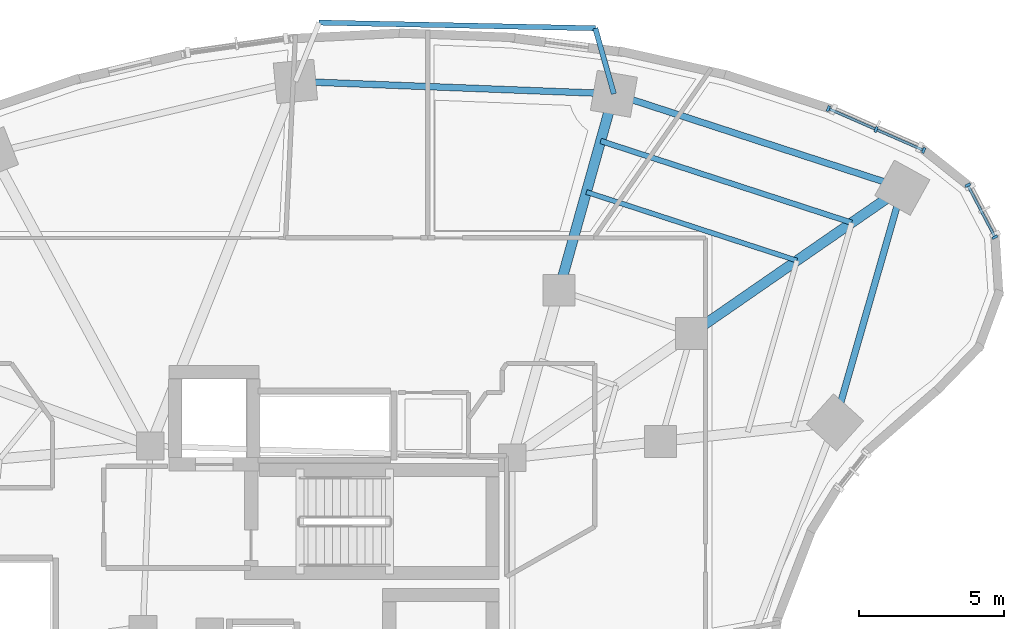
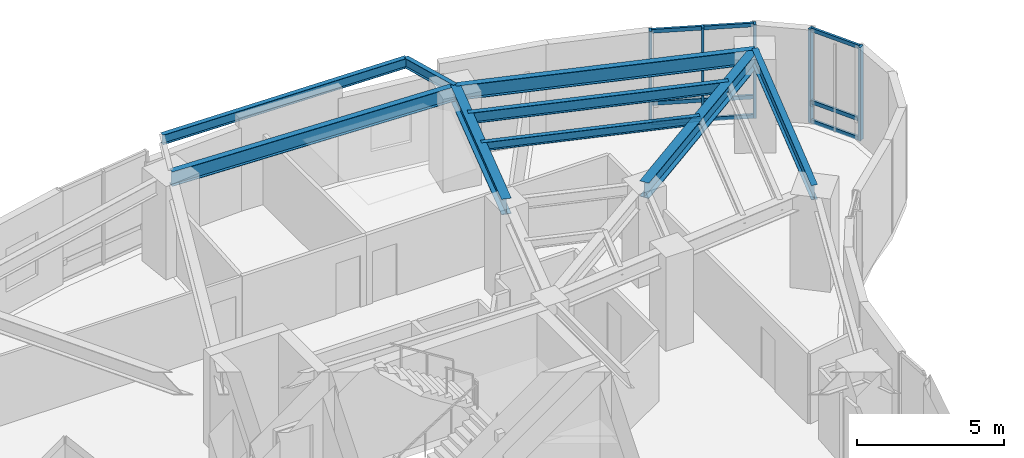
# One storey, part 6 of 15: 14 members, 9 beams, 2 elements without a shape of their own.
"""IFC4 building model written with IfcOpenShell, lengths in metres."""

from ifc_helpers import new_model, si_unit, direction, frame, origin, origin_2d, place, context, subcontext, project, spatial, rectangle, i_section, extrude, material, layer, layer_set, material_profile, profile_set, type_object, element, aggregate, save


model = new_model("IFC4")

# Units and contexts
model_context = context("Model", 3, precision=1e-05, world=origin(), true_north=direction((0.0, 1.0)))
body_context = subcontext(model_context, "Body", "Model", "MODEL_VIEW")
ifc_project = project(units=[si_unit("LENGTHUNIT", "METRE"), si_unit("AREAUNIT", "SQUARE_METRE"), si_unit("VOLUMEUNIT", "CUBIC_METRE"), si_unit("PLANEANGLEUNIT", "RADIAN"), si_unit("MASSUNIT", "GRAM", prefix="KILO")], contexts=[model_context])

# Site, building, storey
site_placement = place(None, origin())
site = spatial("IfcSite", under=ifc_project, at=site_placement, CompositionType="ELEMENT")
building_placement = place(site_placement, origin())
building = spatial("IfcBuilding", under=site, at=building_placement, Name="Korentha Bioscience Tower", CompositionType="ELEMENT")
storey_placement = place(building_placement, frame((0.0, 0.0, 38.39990234375)))
storey = spatial("IfcBuildingStorey", under=building, at=storey_placement, Name="L08", CompositionType="ELEMENT", Elevation=38.39990234375)

# Curtain wall, members
ifc_material_1 = material(Name="Thermally Broken Aluminium Frame", Category="aluminium")
ifc_layer = layer(ifc_material_1, 0.219970703125, Name="Thermally Broken Aluminium Frame")
ifc_layer_set = layer_set([ifc_layer], Name="Thermally Broken Aluminium Frame (CW-T2)")
curtain_wall_type = type_object("IfcCurtainWallType", Name="Solar-Screened Lab Unitised Curtain Wall CW-T2", PredefinedType="USERDEFINED", material=ifc_layer_set)
curtain_wall_1_placement = place(storey_placement, origin())
curtain_wall_1 = element("IfcCurtainWall", 1, at=curtain_wall_1_placement, inside=storey, type_object=curtain_wall_type, Name="L08 Curtain Wall 01", ObjectType="UNITISED", PredefinedType="USERDEFINED")
ifc_material_2 = material(Name="Anodised Aluminium 6063-T6", Category="aluminium")
ifc_material_profile_1 = material_profile(ifc_material_2, rectangle(XDim=0.090087890625, YDim=0.199951171875, at=origin_2d()), Name="Anodised Aluminium 6063-T6")
ifc_profile_set_1 = profile_set([ifc_material_profile_1], Name="Anodised Aluminium 6063-T6 (CW-MUL)")
member_type_1 = type_object("IfcMemberType", Name="Mullion RECT 90x200", PredefinedType="MULLION", material=ifc_profile_set_1)
member_1_placement = place(storey_placement, frame((51.71337890625, 46.420654296875, 0.0), z_axis=(0.0, 0.0, 1.0), x_axis=(-0.91593909057, 0.401317308828, 0.0)))
member_1 = element("IfcMember", 2, at=member_1_placement, type_object=member_type_1, Name="CW-L08-01 Mullion 1", PredefinedType="MULLION", context=body_context, shape_type="SweptSolid", body=[
    extrude(rectangle(XDim=0.090087890625, YDim=0.199951171875, at=origin_2d()), origin(), (0.0, 0.0, 1.0), 3.900146484375),
])
member_2_placement = place(storey_placement, frame((50.072998046875, 47.139404296875, 0.0), z_axis=(0.0, 0.0, 1.0), x_axis=(-0.91593909057, 0.401317308828, 0.0)))
member_2 = element("IfcMember", 3, at=member_2_placement, type_object=member_type_1, Name="CW-L08-01 Mullion 2", PredefinedType="MULLION", context=body_context, shape_type="SweptSolid", body=[
    extrude(rectangle(XDim=0.090087890625, YDim=0.199951171875, at=origin_2d()), origin(), (0.0, 0.0, 1.0), 3.900146484375),
])
member_3_placement = place(storey_placement, frame((48.43212890625, 47.8583984375, 0.0), z_axis=(0.0, 0.0, 1.0), x_axis=(-0.91593909057, 0.401317308828, 0.0)))
member_3 = element("IfcMember", 4, at=member_3_placement, type_object=member_type_1, Name="CW-L08-01 Mullion 3", PredefinedType="MULLION", context=body_context, shape_type="SweptSolid", body=[
    extrude(rectangle(XDim=0.090087890625, YDim=0.199951171875, at=origin_2d()), origin(), (0.0, 0.0, 1.0), 3.900146484375),
])

curtain_wall_2_placement = place(storey_placement, origin())
curtain_wall_2 = element("IfcCurtainWall", 5, at=curtain_wall_2_placement, inside=storey, type_object=curtain_wall_type, Name="L08 Curtain Wall 61", ObjectType="UNITISED", PredefinedType="USERDEFINED")
member_4_placement = place(storey_placement, frame((54.163330078125, 43.435302734375, 0.0), z_axis=(0.0, 0.0, 1.0), x_axis=(-0.463008597697, 0.886353788539, 0.0)))
member_4 = element("IfcMember", 6, at=member_4_placement, type_object=member_type_1, Name="CW-L08-61 Mullion 1", PredefinedType="MULLION", context=body_context, shape_type="SweptSolid", body=[
    extrude(rectangle(XDim=0.090087890625, YDim=0.199951171875, at=origin_2d()), origin(), (0.0, 0.0, 1.0), 3.900146484375),
])
member_5_placement = place(storey_placement, frame((53.22900390625, 45.2236328125, 0.0), z_axis=(0.0, 0.0, 1.0), x_axis=(-0.463008597697, 0.886353788539, 0.0)))
member_5 = element("IfcMember", 7, at=member_5_placement, type_object=member_type_1, Name="CW-L08-61 Mullion 2", PredefinedType="MULLION", context=body_context, shape_type="SweptSolid", body=[
    extrude(rectangle(XDim=0.090087890625, YDim=0.199951171875, at=origin_2d()), origin(), (0.0, 0.0, 1.0), 3.900146484375),
])

# Beams
ifc_material_3 = material(Name="Steel S355", Category="steel")
ifc_material_profile_2 = material_profile(ifc_material_3, i_section(OverallWidth=0.22802734375, OverallDepth=0.60791015625, WebThickness=0.01123046875, FlangeThickness=0.017333984375, at=origin_2d()), Name="Steel S355")
ifc_profile_set_2 = profile_set([ifc_material_profile_2], Name="Steel S355 (SB-610)")
beam_type_1 = type_object("IfcBeamType", Name="Perimeter Ring Spandrel Girder W610x113", PredefinedType="SPANDREL", material=ifc_profile_set_2)
beam_1_placement = place(storey_placement, frame((50.977294921875, 45.135498046875, 3.59619140625), z_axis=(-0.95087511444, 0.309574735305, 0.0), x_axis=(-0.309574735305, -0.95087511444, 0.0)))
element("IfcBeam", 8, at=beam_1_placement, inside=storey, type_object=beam_type_1, Name="L08 Perimeter Spandrel Girder 01", PredefinedType="SPANDREL", context=body_context, shape_type="SweptSolid", body=[
    extrude(i_section(OverallWidth=0.22802734375, OverallDepth=0.60791015625, WebThickness=0.01123046875, FlangeThickness=0.017333984375, at=origin_2d()), origin(), (0.0, 0.0, 1.0), 10.4375),
])
beam_2_placement = place(storey_placement, frame((41.052490234375, 48.36669921875, 3.59619140625), z_axis=(-0.999246003889, 0.03882555488, 0.0), x_axis=(-0.03882555488, -0.999246003889, 0.0)))
element("IfcBeam", 9, at=beam_2_placement, inside=storey, type_object=beam_type_1, Name="L08 Perimeter Spandrel Girder 02", PredefinedType="SPANDREL", context=body_context, shape_type="SweptSolid", body=[
    extrude(i_section(OverallWidth=0.22802734375, OverallDepth=0.60791015625, WebThickness=0.01123046875, FlangeThickness=0.017333984375, at=origin_2d()), origin(), (0.0, 0.0, 1.0), 10.966552734375),
])
beam_3_placement = place(storey_placement, frame((48.661865234375, 37.060791015625, 3.59619140625), z_axis=(0.275642273411, 0.961260285827, 0.0), x_axis=(-0.961260285827, 0.275642273411, 0.0)))
element("IfcBeam", 10, at=beam_3_placement, inside=storey, type_object=beam_type_1, Name="L08 Perimeter Spandrel Girder 16", PredefinedType="SPANDREL", context=body_context, shape_type="SweptSolid", body=[
    extrude(i_section(OverallWidth=0.22802734375, OverallDepth=0.60791015625, WebThickness=0.01123046875, FlangeThickness=0.017333984375, at=origin_2d()), origin(), (0.0, 0.0, 1.0), 8.400146484375),
])
ifc_material_profile_3 = material_profile(ifc_material_3, i_section(OverallWidth=0.18994140625, OverallDepth=0.45703125, WebThickness=0.009033203125, FlangeThickness=0.014404296875, at=origin_2d()), Name="Steel S355")
ifc_profile_set_3 = profile_set([ifc_material_profile_3], Name="Steel S355 (RB-460)")
beam_type_2 = type_object("IfcBeamType", Name="Radial Laboratory Beam W460x74", PredefinedType="BEAM", material=ifc_profile_set_3)
beam_4_placement = place(storey_placement, frame((49.2373046875, 43.931884765625, 3.671630859375), z_axis=(-0.95087437499, 0.309577006554, 0.0), x_axis=(-0.309577006554, -0.95087437499, 0.0)))
element("IfcBeam", 11, at=beam_4_placement, inside=storey, type_object=beam_type_2, Name="L08 Secondary Floor Beam JSTO-01", PredefinedType="BEAM", context=body_context, shape_type="SweptSolid", body=[
    extrude(i_section(OverallWidth=0.18994140625, OverallDepth=0.45703125, WebThickness=0.009033203125, FlangeThickness=0.014404296875, at=origin_2d()), origin(), (0.0, 0.0, 1.0), 9.0849609375),
])
ifc_material_profile_4 = material_profile(ifc_material_3, i_section(OverallWidth=0.35009765625, OverallDepth=0.64990234375, WebThickness=0.01611328125, FlangeThickness=0.02490234375, at=origin_2d()), Name="Steel S355")
ifc_profile_set_4 = profile_set([ifc_material_profile_4], Name="Steel S355 (RB-650)")
beam_type_3 = type_object("IfcBeamType", Name="Radial Laboratory Girder CVS 650x208", PredefinedType="BEAM", material=ifc_profile_set_4)
beam_5_placement = place(storey_placement, frame((43.7265625, 40.121337890625, 3.5751953125), z_axis=(0.822488186113, 0.568782193555, 0.0), x_axis=(-0.568782193555, 0.822488186113, 0.0)))
element("IfcBeam", 12, at=beam_5_placement, inside=storey, type_object=beam_type_3, Name="L08 Outer Radial Girder 01", PredefinedType="BEAM", context=body_context, shape_type="SweptSolid", body=[
    extrude(i_section(OverallWidth=0.35009765625, OverallDepth=0.64990234375, WebThickness=0.01611328125, FlangeThickness=0.02490234375, at=origin_2d()), origin(), (0.0, 0.0, 1.0), 8.815673828125),
])
beam_6_placement = place(storey_placement, frame((39.1611328125, 41.607666015625, 3.5751953125), z_axis=(0.269475095129, 0.963007358801, 0.0), x_axis=(-0.963007358801, 0.269475095129, 0.0)))
element("IfcBeam", 13, at=beam_6_placement, inside=storey, type_object=beam_type_3, Name="L08 Outer Radial Girder 02", PredefinedType="BEAM", context=body_context, shape_type="SweptSolid", body=[
    extrude(i_section(OverallWidth=0.35009765625, OverallDepth=0.64990234375, WebThickness=0.01611328125, FlangeThickness=0.02490234375, at=origin_2d()), origin(), (0.0, 0.0, 1.0), 7.0185546875),
])
ifc_material_profile_5 = material_profile(ifc_material_3, i_section(OverallWidth=0.1708984375, OverallDepth=0.35498046875, WebThickness=0.007080078125, FlangeThickness=0.01171875, at=origin_2d()), Name="Steel S355")
ifc_profile_set_5 = profile_set([ifc_material_profile_5], Name="Steel S355 (JB-360)")
beam_type_4 = type_object("IfcBeamType", Name="Secondary Laboratory Joist W360x51", PredefinedType="JOIST", material=ifc_profile_set_5)
beam_7_placement = place(storey_placement, frame((47.35205078125, 42.62841796875, 3.72265625), z_axis=(-0.950870992772, 0.309587394938, 0.0), x_axis=(-0.309587394938, -0.950870992772, 0.0)))
element("IfcBeam", 14, at=beam_7_placement, inside=storey, type_object=beam_type_4, Name="L08 Secondary Floor Beam JST-01", PredefinedType="JOIST", context=body_context, shape_type="SweptSolid", body=[
    extrude(i_section(OverallWidth=0.1708984375, OverallDepth=0.35498046875, WebThickness=0.007080078125, FlangeThickness=0.01171875, at=origin_2d()), origin(), (0.0, 0.0, 1.0), 7.619384765625),
])
ifc_material_profile_6 = material_profile(ifc_material_3, i_section(OverallWidth=0.177978515625, OverallDepth=0.406982421875, WebThickness=0.0078125, FlangeThickness=0.0126953125, at=origin_2d()), Name="Steel S355")
ifc_profile_set_6 = profile_set([ifc_material_profile_6], Name="Steel S355 (CB-410)")
beam_type_5 = type_object("IfcBeamType", Name="Sun-Ledge Cantilever Beam W410x60", PredefinedType="BEAM", material=ifc_profile_set_6)
beam_8_placement = place(storey_placement, frame((41.052490234375, 48.36669921875, 3.698486328125), z_axis=(-0.272575265029, 0.962134463001, 0.0), x_axis=(-0.962134463001, -0.272575265029, 0.0)))
element("IfcBeam", 15, at=beam_8_placement, inside=storey, type_object=beam_type_5, Name="L08 Balcony Cantilever Bracket A-L09-01", PredefinedType="BEAM", context=body_context, shape_type="SweptSolid", body=[
    extrude(i_section(OverallWidth=0.177978515625, OverallDepth=0.406982421875, WebThickness=0.0078125, FlangeThickness=0.0126953125, at=origin_2d()), origin(), (0.0, 0.0, 1.0), 2.344970703125),
])
beam_9_placement = place(storey_placement, frame((40.413330078125, 50.622802734375, 3.698486328125), z_axis=(-0.999790533568, 0.020466777676, 0.0), x_axis=(-0.020466777676, -0.999790533568, 0.0)))
element("IfcBeam", 16, at=beam_9_placement, inside=storey, type_object=beam_type_5, Name="L08 Balcony Edge Trimmer Beam L09-01", PredefinedType="BEAM", context=body_context, shape_type="SweptSolid", body=[
    extrude(i_section(OverallWidth=0.177978515625, OverallDepth=0.406982421875, WebThickness=0.0078125, FlangeThickness=0.0126953125, at=origin_2d()), origin(), (0.0, 0.0, 1.0), 9.507080078125),
])

# Member
ifc_material_profile_7 = material_profile(ifc_material_2, rectangle(XDim=0.090087890625, YDim=0.159912109375, at=origin_2d()), Name="Anodised Aluminium 6063-T6")
ifc_profile_set_7 = profile_set([ifc_material_profile_7], Name="Anodised Aluminium 6063-T6 (CW-TRN)")
member_type_2 = type_object("IfcMemberType", Name="Transom RECT 90x160", PredefinedType="USERDEFINED", material=ifc_profile_set_7)
member_6_placement = place(storey_placement, frame((51.67236328125, 46.438720703125, 0.045166015625), z_axis=(-0.915976098914, 0.401232832926, 0.0), x_axis=(-0.401232832926, -0.915976098914, 0.0)))
member_6 = element("IfcMember", 17, at=member_6_placement, type_object=member_type_2, Name="CW-L08-01 Bay 1 Transom 1", ObjectType="TRANSOM", PredefinedType="USERDEFINED", context=body_context, shape_type="SweptSolid", body=[
    extrude(rectangle(XDim=0.090087890625, YDim=0.159912109375, at=origin_2d()), origin(), (0.0, 0.0, 1.0), 1.701416015625),
])

member_7_placement = place(storey_placement, frame((51.67236328125, 46.438720703125, 0.85009765625), z_axis=(-0.915976098914, 0.401232832926, 0.0), x_axis=(-0.401232832926, -0.915976098914, 0.0)))
member_7 = element("IfcMember", 18, at=member_7_placement, type_object=member_type_2, Name="CW-L08-01 Bay 1 Transom 2", ObjectType="TRANSOM", PredefinedType="USERDEFINED", context=body_context, shape_type="SweptSolid", body=[
    extrude(rectangle(XDim=0.090087890625, YDim=0.159912109375, at=origin_2d()), origin(), (0.0, 0.0, 1.0), 1.701416015625),
])

member_8_placement = place(storey_placement, frame((51.67236328125, 46.438720703125, 3.85498046875), z_axis=(-0.915976098914, 0.401232832926, 0.0), x_axis=(-0.401232832926, -0.915976098914, 0.0)))
member_8 = element("IfcMember", 19, at=member_8_placement, type_object=member_type_2, Name="CW-L08-01 Bay 1 Transom 3", ObjectType="TRANSOM", PredefinedType="USERDEFINED", context=body_context, shape_type="SweptSolid", body=[
    extrude(rectangle(XDim=0.090087890625, YDim=0.159912109375, at=origin_2d()), origin(), (0.0, 0.0, 1.0), 1.701416015625),
])

member_9_placement = place(storey_placement, frame((50.031494140625, 47.15771484375, 0.045166015625), z_axis=(-0.915952992218, 0.401285579167, 0.0), x_axis=(-0.401285579167, -0.915952992218, 0.0)))
member_9 = element("IfcMember", 20, at=member_9_placement, type_object=member_type_2, Name="CW-L08-01 Bay 2 Transom 1", ObjectType="TRANSOM", PredefinedType="USERDEFINED", context=body_context, shape_type="SweptSolid", body=[
    extrude(rectangle(XDim=0.090087890625, YDim=0.159912109375, at=origin_2d()), origin(), (0.0, 0.0, 1.0), 1.701171875),
])

member_10_placement = place(storey_placement, frame((50.031494140625, 47.15771484375, 0.85009765625), z_axis=(-0.915952992218, 0.401285579167, 0.0), x_axis=(-0.401285579167, -0.915952992218, 0.0)))
member_10 = element("IfcMember", 21, at=member_10_placement, type_object=member_type_2, Name="CW-L08-01 Bay 2 Transom 2", ObjectType="TRANSOM", PredefinedType="USERDEFINED", context=body_context, shape_type="SweptSolid", body=[
    extrude(rectangle(XDim=0.090087890625, YDim=0.159912109375, at=origin_2d()), origin(), (0.0, 0.0, 1.0), 1.701171875),
])

member_11_placement = place(storey_placement, frame((50.031494140625, 47.15771484375, 3.85498046875), z_axis=(-0.915952992218, 0.401285579167, 0.0), x_axis=(-0.401285579167, -0.915952992218, 0.0)))
member_11 = element("IfcMember", 22, at=member_11_placement, type_object=member_type_2, Name="CW-L08-01 Bay 2 Transom 3", ObjectType="TRANSOM", PredefinedType="USERDEFINED", context=body_context, shape_type="SweptSolid", body=[
    extrude(rectangle(XDim=0.090087890625, YDim=0.159912109375, at=origin_2d()), origin(), (0.0, 0.0, 1.0), 1.701171875),
])

aggregate(curtain_wall_1, [member_1, member_2, member_3, member_6, member_7, member_8, member_9, member_10, member_11])

member_12_placement = place(storey_placement, frame((54.142333984375, 43.47509765625, 0.045166015625), z_axis=(-0.462899248902, 0.886410900974, 0.0), x_axis=(-0.886410900974, -0.462899248902, 0.0)))
member_12 = element("IfcMember", 23, at=member_12_placement, type_object=member_type_2, Name="CW-L08-61 Bay 1 Transom 1", ObjectType="TRANSOM", PredefinedType="USERDEFINED", context=body_context, shape_type="SweptSolid", body=[
    extrude(rectangle(XDim=0.090087890625, YDim=0.159912109375, at=origin_2d()), origin(), (0.0, 0.0, 1.0), 1.927734375),
])

member_13_placement = place(storey_placement, frame((54.142333984375, 43.47509765625, 0.85009765625), z_axis=(-0.462899248902, 0.886410900974, 0.0), x_axis=(-0.886410900974, -0.462899248902, 0.0)))
member_13 = element("IfcMember", 24, at=member_13_placement, type_object=member_type_2, Name="CW-L08-61 Bay 1 Transom 2", ObjectType="TRANSOM", PredefinedType="USERDEFINED", context=body_context, shape_type="SweptSolid", body=[
    extrude(rectangle(XDim=0.090087890625, YDim=0.159912109375, at=origin_2d()), origin(), (0.0, 0.0, 1.0), 1.927734375),
])

member_14_placement = place(storey_placement, frame((54.142333984375, 43.47509765625, 3.85498046875), z_axis=(-0.462899248902, 0.886410900974, 0.0), x_axis=(-0.886410900974, -0.462899248902, 0.0)))
member_14 = element("IfcMember", 25, at=member_14_placement, type_object=member_type_2, Name="CW-L08-61 Bay 1 Transom 3", ObjectType="TRANSOM", PredefinedType="USERDEFINED", context=body_context, shape_type="SweptSolid", body=[
    extrude(rectangle(XDim=0.090087890625, YDim=0.159912109375, at=origin_2d()), origin(), (0.0, 0.0, 1.0), 1.927734375),
])

aggregate(curtain_wall_2, [member_4, member_5, member_12, member_13, member_14])

save(model, "model.ifc")
